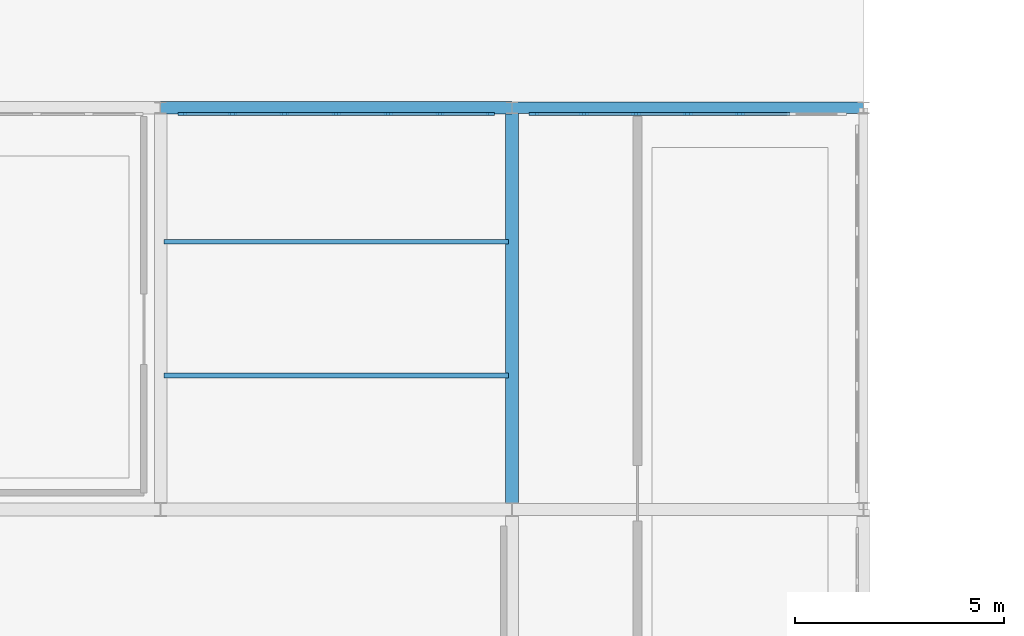
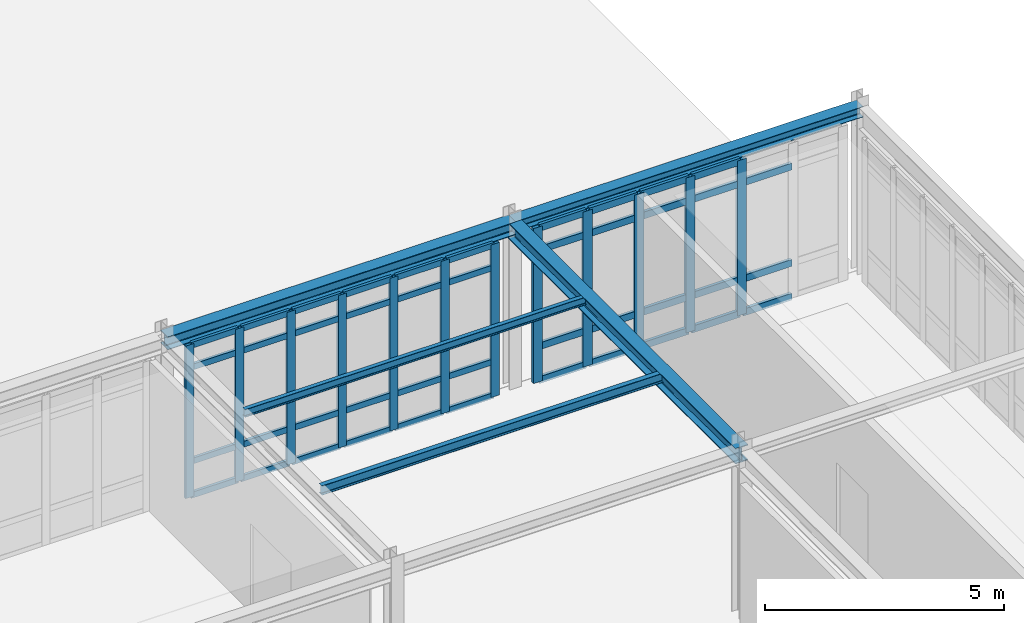
# One storey, part 56 of 101: 55 members, 5 beams, 2 elements without a shape of their own.
"""IFC4 building model written with IfcOpenShell, lengths in metres."""

from ifc_helpers import new_model, si_unit, derived_unit, direction, frame, origin, origin_2d, place, context, subcontext, project, spatial, rectangle, i_section, extrude, material, layer, layer_set, material_profile, profile_set, type_object, element, aggregate, save


model = new_model("IFC4")

# Units and contexts
model_context = context("Model", 3, precision=1e-05, world=origin(), true_north=direction((0.0, 1.0)))
body_context = subcontext(model_context, "Body", "Model", "MODEL_VIEW")
ifc_project = project(units=[si_unit("LENGTHUNIT", "METRE"), si_unit("AREAUNIT", "SQUARE_METRE"), si_unit("VOLUMEUNIT", "CUBIC_METRE"), si_unit("PLANEANGLEUNIT", "RADIAN"), si_unit("MASSUNIT", "GRAM", prefix="KILO"), derived_unit("THERMALTRANSMITTANCEUNIT", [(si_unit("POWERUNIT", "WATT"), 1), (si_unit("AREAUNIT", "SQUARE_METRE"), -1), (si_unit("THERMODYNAMICTEMPERATUREUNIT", "KELVIN"), -1)])], contexts=[model_context])

# Site, building, storey
site_placement = place(None, origin())
site = spatial("IfcSite", under=ifc_project, at=site_placement, CompositionType="ELEMENT")
building_placement = place(site_placement, origin())
building = spatial("IfcBuilding", under=site, at=building_placement, Name="Yasenodar Specialist Clinic", CompositionType="ELEMENT")
storey_placement = place(building_placement, origin())
storey = spatial("IfcBuildingStorey", under=building, at=storey_placement, Name="L00", CompositionType="ELEMENT", Elevation=0.0)

# Beams
ifc_material_1 = material(Name="Steel S355", Category="steel")
ifc_material_profile_1 = material_profile(ifc_material_1, i_section(OverallWidth=0.280029296875, OverallDepth=0.27001953125, WebThickness=0.008056640625, FlangeThickness=0.012939453125, FilletRadius=0.02392578125, at=origin_2d()), Name="HEA 280")
ifc_profile_set_1 = profile_set([ifc_material_profile_1], Name="Steel S355")
beam_type_1 = type_object("IfcBeamType", Name="BM-HEA280", PredefinedType="BEAM", material=ifc_profile_set_1)
beam_1_placement = place(storey_placement, frame((130.199951171875, 34.800048828125, 4.114990234375), z_axis=(1.0, 0.0, 0.0), x_axis=(0.0, 1.0, 0.0)))
element("IfcBeam", 1, at=beam_1_placement, inside=storey, type_object=beam_type_1, Name="L00 Primary E-W Girder", PredefinedType="BEAM", context=body_context, shape_type="SweptSolid", body=[
    extrude(i_section(OverallWidth=0.280029296875, OverallDepth=0.27001953125, WebThickness=0.008056640625, FlangeThickness=0.012939453125, FilletRadius=0.02392578125, at=origin_2d()), origin(), (0.0, 0.0, 1.0), 8.400146484375),
])
ifc_material_profile_2 = material_profile(ifc_material_1, i_section(OverallWidth=0.300048828125, OverallDepth=0.330078125, WebThickness=0.009521484375, FlangeThickness=0.0166015625, FilletRadius=0.027099609375, at=origin_2d()), Name="HEA 340")
ifc_profile_set_2 = profile_set([ifc_material_profile_2], Name="Steel S355")
beam_type_2 = type_object("IfcBeamType", Name="BM-HEA340", PredefinedType="BEAM", material=ifc_profile_set_2)
beam_2_placement = place(storey_placement, frame((121.800048828125, 34.800048828125, 4.0849609375), z_axis=(1.0, 0.0, 0.0), x_axis=(0.0, 1.0, 0.0)))
element("IfcBeam", 2, at=beam_2_placement, inside=storey, type_object=beam_type_2, Name="L00 Primary E-W Girder", PredefinedType="BEAM", context=body_context, shape_type="SweptSolid", body=[
    extrude(i_section(OverallWidth=0.300048828125, OverallDepth=0.330078125, WebThickness=0.009521484375, FlangeThickness=0.0166015625, FilletRadius=0.027099609375, at=origin_2d()), origin(), (0.0, 0.0, 1.0), 8.39990234375),
])
ifc_material_profile_3 = material_profile(ifc_material_1, i_section(OverallWidth=0.300048828125, OverallDepth=0.39990234375, WebThickness=0.013427734375, FlangeThickness=0.02392578125, FilletRadius=0.027099609375, at=origin_2d()), Name="HEB 400")
ifc_profile_set_3 = profile_set([ifc_material_profile_3], Name="Steel S355")
beam_type_3 = type_object("IfcBeamType", Name="BM-HEB400", PredefinedType="BEAM", material=ifc_profile_set_3)
beam_3_placement = place(storey_placement, frame((130.199951171875, 25.199951171875, 4.050048828125), z_axis=(0.0, 1.0, 0.0), x_axis=(-1.0, 0.0, 0.0)))
element("IfcBeam", 3, at=beam_3_placement, inside=storey, type_object=beam_type_3, Name="L00 Primary N-S Girder", PredefinedType="BEAM", context=body_context, shape_type="SweptSolid", body=[
    extrude(i_section(OverallWidth=0.300048828125, OverallDepth=0.39990234375, WebThickness=0.013427734375, FlangeThickness=0.02392578125, FilletRadius=0.027099609375, at=origin_2d()), origin(), (0.0, 0.0, 1.0), 9.60009765625),
])

# Curtain wall, members
ifc_material_2 = material(Name="Bronze Anodized Aluminium and Triple Low-E Glass", Category="aluminium")
ifc_layer = layer(ifc_material_2, 0.178955078125)
ifc_layer_set = layer_set([ifc_layer], Name="Bronze Anodized Aluminium and Triple Low-E Glass")
curtain_wall_type = type_object("IfcCurtainWallType", Name="CW-SYS-02", PredefinedType="USERDEFINED", material=ifc_layer_set)
curtain_wall_1_placement = place(storey_placement, origin())
curtain_wall_1 = element("IfcCurtainWall", 4, at=curtain_wall_1_placement, inside=storey, type_object=curtain_wall_type, Name="L00 Unitised Curtain Wall 084", ObjectType="UNITISED CURTAIN WALL", PredefinedType="USERDEFINED")
ifc_material_3 = material(Name="Bronze Anodized Aluminium", Category="aluminium")
ifc_material_profile_4 = material_profile(ifc_material_3, rectangle(XDim=0.070068359375, YDim=0.199951171875, at=origin_2d()), Name="CW-MULL 70x200")
ifc_profile_set_4 = profile_set([ifc_material_profile_4], Name="Bronze Anodized Aluminium")
member_type_1 = type_object("IfcMemberType", Name="CW-MULL-200", PredefinedType="MULLION", material=ifc_profile_set_4)
member_1_placement = place(storey_placement, frame((122.31494140625, 34.64990234375, 0.0), z_axis=(0.0, 0.0, 1.0), x_axis=(0.0, 1.0, 0.0)))
member_1 = element("IfcMember", 5, at=member_1_placement, type_object=member_type_1, Name="CW-02 mullion 1", PredefinedType="MULLION", context=body_context, shape_type="SweptSolid", body=[
    extrude(rectangle(XDim=0.070068359375, YDim=0.199951171875, at=origin_2d()), origin(), (0.0, 0.0, 1.0), 3.89794921875),
])
member_2_placement = place(storey_placement, frame((123.52001953125, 34.64990234375, 0.0), z_axis=(0.0, 0.0, 1.0), x_axis=(0.0, 1.0, 0.0)))
member_2 = element("IfcMember", 6, at=member_2_placement, type_object=member_type_1, Name="CW-02 mullion 2", PredefinedType="MULLION", context=body_context, shape_type="SweptSolid", body=[
    extrude(rectangle(XDim=0.070068359375, YDim=0.199951171875, at=origin_2d()), origin(), (0.0, 0.0, 1.0), 3.89794921875),
])
member_3_placement = place(storey_placement, frame((124.760009765625, 34.64990234375, 0.0), z_axis=(0.0, 0.0, 1.0), x_axis=(0.0, 1.0, 0.0)))
member_3 = element("IfcMember", 7, at=member_3_placement, type_object=member_type_1, Name="CW-02 mullion 3", PredefinedType="MULLION", context=body_context, shape_type="SweptSolid", body=[
    extrude(rectangle(XDim=0.070068359375, YDim=0.199951171875, at=origin_2d()), origin(), (0.0, 0.0, 1.0), 3.89794921875),
])
member_4_placement = place(storey_placement, frame((126.0, 34.64990234375, 0.0), z_axis=(0.0, 0.0, 1.0), x_axis=(0.0, 1.0, 0.0)))
member_4 = element("IfcMember", 8, at=member_4_placement, type_object=member_type_1, Name="CW-02 mullion 4", PredefinedType="MULLION", context=body_context, shape_type="SweptSolid", body=[
    extrude(rectangle(XDim=0.070068359375, YDim=0.199951171875, at=origin_2d()), origin(), (0.0, 0.0, 1.0), 3.89794921875),
])
member_5_placement = place(storey_placement, frame((127.239990234375, 34.64990234375, 0.0), z_axis=(0.0, 0.0, 1.0), x_axis=(0.0, 1.0, 0.0)))
member_5 = element("IfcMember", 9, at=member_5_placement, type_object=member_type_1, Name="CW-02 mullion 5", PredefinedType="MULLION", context=body_context, shape_type="SweptSolid", body=[
    extrude(rectangle(XDim=0.070068359375, YDim=0.199951171875, at=origin_2d()), origin(), (0.0, 0.0, 1.0), 3.89794921875),
])
member_6_placement = place(storey_placement, frame((128.47998046875, 34.64990234375, 0.0), z_axis=(0.0, 0.0, 1.0), x_axis=(0.0, 1.0, 0.0)))
member_6 = element("IfcMember", 10, at=member_6_placement, type_object=member_type_1, Name="CW-02 mullion 6", PredefinedType="MULLION", context=body_context, shape_type="SweptSolid", body=[
    extrude(rectangle(XDim=0.070068359375, YDim=0.199951171875, at=origin_2d()), origin(), (0.0, 0.0, 1.0), 3.89794921875),
])
member_7_placement = place(storey_placement, frame((129.68505859375, 34.64990234375, 0.0), z_axis=(0.0, 0.0, 1.0), x_axis=(0.0, 1.0, 0.0)))
member_7 = element("IfcMember", 11, at=member_7_placement, type_object=member_type_1, Name="CW-02 mullion 7", PredefinedType="MULLION", context=body_context, shape_type="SweptSolid", body=[
    extrude(rectangle(XDim=0.070068359375, YDim=0.199951171875, at=origin_2d()), origin(), (0.0, 0.0, 1.0), 3.89794921875),
])

curtain_wall_2_placement = place(storey_placement, origin())
curtain_wall_2 = element("IfcCurtainWall", 12, at=curtain_wall_2_placement, inside=storey, type_object=curtain_wall_type, Name="L00 Unitised Curtain Wall 085", ObjectType="UNITISED CURTAIN WALL", PredefinedType="USERDEFINED")
ifc_material_profile_5 = material_profile(ifc_material_3, rectangle(XDim=0.074951171875, YDim=0.22509765625, at=origin_2d()), Name="CW-MULL 75x225")
ifc_profile_set_5 = profile_set([ifc_material_profile_5], Name="Bronze Anodized Aluminium")
member_type_2 = type_object("IfcMemberType", Name="CW-MULL-225", PredefinedType="MULLION", material=ifc_profile_set_5)
member_8_placement = place(storey_placement, frame((130.717529296875, 34.64990234375, 0.0), z_axis=(0.0, 0.0, 1.0), x_axis=(0.0, 1.0, 0.0)))
member_8 = element("IfcMember", 13, at=member_8_placement, type_object=member_type_2, Name="CW-02 mullion 1", PredefinedType="MULLION", context=body_context, shape_type="SweptSolid", body=[
    extrude(rectangle(XDim=0.074951171875, YDim=0.22509765625, at=origin_2d()), origin(), (0.0, 0.0, 1.0), 3.9580078125),
])
member_9_placement = place(storey_placement, frame((131.919921875, 34.64990234375, 0.0), z_axis=(0.0, 0.0, 1.0), x_axis=(0.0, 1.0, 0.0)))
member_9 = element("IfcMember", 14, at=member_9_placement, type_object=member_type_2, Name="CW-02 mullion 2", PredefinedType="MULLION", context=body_context, shape_type="SweptSolid", body=[
    extrude(rectangle(XDim=0.074951171875, YDim=0.22509765625, at=origin_2d()), origin(), (0.0, 0.0, 1.0), 3.9580078125),
])
member_10_placement = place(storey_placement, frame((133.159912109375, 34.64990234375, 0.0), z_axis=(0.0, 0.0, 1.0), x_axis=(0.0, 1.0, 0.0)))
member_10 = element("IfcMember", 15, at=member_10_placement, type_object=member_type_2, Name="CW-02 mullion 3", PredefinedType="MULLION", context=body_context, shape_type="SweptSolid", body=[
    extrude(rectangle(XDim=0.074951171875, YDim=0.22509765625, at=origin_2d()), origin(), (0.0, 0.0, 1.0), 3.9580078125),
])
member_11_placement = place(storey_placement, frame((134.39990234375, 34.64990234375, 0.0), z_axis=(0.0, 0.0, 1.0), x_axis=(0.0, 1.0, 0.0)))
member_11 = element("IfcMember", 16, at=member_11_placement, type_object=member_type_2, Name="CW-02 mullion 4", PredefinedType="MULLION", context=body_context, shape_type="SweptSolid", body=[
    extrude(rectangle(XDim=0.074951171875, YDim=0.22509765625, at=origin_2d()), origin(), (0.0, 0.0, 1.0), 3.9580078125),
])
member_12_placement = place(storey_placement, frame((135.639892578125, 34.64990234375, 0.0), z_axis=(0.0, 0.0, 1.0), x_axis=(0.0, 1.0, 0.0)))
member_12 = element("IfcMember", 17, at=member_12_placement, type_object=member_type_2, Name="CW-02 mullion 5", PredefinedType="MULLION", context=body_context, shape_type="SweptSolid", body=[
    extrude(rectangle(XDim=0.074951171875, YDim=0.22509765625, at=origin_2d()), origin(), (0.0, 0.0, 1.0), 3.9580078125),
])

# Member
ifc_material_profile_6 = material_profile(ifc_material_3, rectangle(XDim=0.070068359375, YDim=0.14990234375, at=origin_2d()), Name="CW-TRAN 70x150")
ifc_profile_set_6 = profile_set([ifc_material_profile_6], Name="Bronze Anodized Aluminium")
member_type_3 = type_object("IfcMemberType", Name="CW-TRAN-150", PredefinedType="USERDEFINED", material=ifc_profile_set_6)
member_13_placement = place(storey_placement, frame((122.35009765625, 34.64990234375, 0.034912109375), z_axis=(1.0, 0.0, 0.0), x_axis=(0.0, 1.0, 0.0)))
member_13 = element("IfcMember", 18, at=member_13_placement, type_object=member_type_3, Name="CW-02 transom 1.1", ObjectType="TRANSOM", PredefinedType="USERDEFINED", context=body_context, shape_type="SweptSolid", body=[
    extrude(rectangle(XDim=0.070068359375, YDim=0.14990234375, at=origin_2d()), origin(), (0.0, 0.0, 1.0), 1.135009765625),
])

member_14_placement = place(storey_placement, frame((122.35009765625, 34.64990234375, 0.89990234375), z_axis=(1.0, 0.0, 0.0), x_axis=(0.0, 1.0, 0.0)))
member_14 = element("IfcMember", 19, at=member_14_placement, type_object=member_type_3, Name="CW-02 transom 1.2", ObjectType="TRANSOM", PredefinedType="USERDEFINED", context=body_context, shape_type="SweptSolid", body=[
    extrude(rectangle(XDim=0.070068359375, YDim=0.14990234375, at=origin_2d()), origin(), (0.0, 0.0, 1.0), 1.135009765625),
])

member_15_placement = place(storey_placement, frame((122.35009765625, 34.64990234375, 3.298095703125), z_axis=(1.0, 0.0, 0.0), x_axis=(0.0, 1.0, 0.0)))
member_15 = element("IfcMember", 20, at=member_15_placement, type_object=member_type_3, Name="CW-02 transom 1.3", ObjectType="TRANSOM", PredefinedType="USERDEFINED", context=body_context, shape_type="SweptSolid", body=[
    extrude(rectangle(XDim=0.070068359375, YDim=0.14990234375, at=origin_2d()), origin(), (0.0, 0.0, 1.0), 1.135009765625),
])

member_16_placement = place(storey_placement, frame((122.35009765625, 34.64990234375, 3.863037109375), z_axis=(1.0, 0.0, 0.0), x_axis=(0.0, 1.0, 0.0)))
member_16 = element("IfcMember", 21, at=member_16_placement, type_object=member_type_3, Name="CW-02 transom 1.4", ObjectType="TRANSOM", PredefinedType="USERDEFINED", context=body_context, shape_type="SweptSolid", body=[
    extrude(rectangle(XDim=0.070068359375, YDim=0.14990234375, at=origin_2d()), origin(), (0.0, 0.0, 1.0), 1.135009765625),
])

member_17_placement = place(storey_placement, frame((123.554931640625, 34.64990234375, 0.034912109375), z_axis=(1.0, 0.0, 0.0), x_axis=(0.0, 1.0, 0.0)))
member_17 = element("IfcMember", 22, at=member_17_placement, type_object=member_type_3, Name="CW-02 transom 2.1", ObjectType="TRANSOM", PredefinedType="USERDEFINED", context=body_context, shape_type="SweptSolid", body=[
    extrude(rectangle(XDim=0.070068359375, YDim=0.14990234375, at=origin_2d()), origin(), (0.0, 0.0, 1.0), 1.170166015625),
])

member_18_placement = place(storey_placement, frame((123.554931640625, 34.64990234375, 0.89990234375), z_axis=(1.0, 0.0, 0.0), x_axis=(0.0, 1.0, 0.0)))
member_18 = element("IfcMember", 23, at=member_18_placement, type_object=member_type_3, Name="CW-02 transom 2.2", ObjectType="TRANSOM", PredefinedType="USERDEFINED", context=body_context, shape_type="SweptSolid", body=[
    extrude(rectangle(XDim=0.070068359375, YDim=0.14990234375, at=origin_2d()), origin(), (0.0, 0.0, 1.0), 1.170166015625),
])

member_19_placement = place(storey_placement, frame((123.554931640625, 34.64990234375, 3.298095703125), z_axis=(1.0, 0.0, 0.0), x_axis=(0.0, 1.0, 0.0)))
member_19 = element("IfcMember", 24, at=member_19_placement, type_object=member_type_3, Name="CW-02 transom 2.3", ObjectType="TRANSOM", PredefinedType="USERDEFINED", context=body_context, shape_type="SweptSolid", body=[
    extrude(rectangle(XDim=0.070068359375, YDim=0.14990234375, at=origin_2d()), origin(), (0.0, 0.0, 1.0), 1.170166015625),
])

member_20_placement = place(storey_placement, frame((123.554931640625, 34.64990234375, 3.863037109375), z_axis=(1.0, 0.0, 0.0), x_axis=(0.0, 1.0, 0.0)))
member_20 = element("IfcMember", 25, at=member_20_placement, type_object=member_type_3, Name="CW-02 transom 2.4", ObjectType="TRANSOM", PredefinedType="USERDEFINED", context=body_context, shape_type="SweptSolid", body=[
    extrude(rectangle(XDim=0.070068359375, YDim=0.14990234375, at=origin_2d()), origin(), (0.0, 0.0, 1.0), 1.170166015625),
])

member_21_placement = place(storey_placement, frame((124.794921875, 34.64990234375, 0.034912109375), z_axis=(1.0, 0.0, 0.0), x_axis=(0.0, 1.0, 0.0)))
member_21 = element("IfcMember", 26, at=member_21_placement, type_object=member_type_3, Name="CW-02 transom 3.1", ObjectType="TRANSOM", PredefinedType="USERDEFINED", context=body_context, shape_type="SweptSolid", body=[
    extrude(rectangle(XDim=0.070068359375, YDim=0.14990234375, at=origin_2d()), origin(), (0.0, 0.0, 1.0), 1.170166015625),
])

member_22_placement = place(storey_placement, frame((124.794921875, 34.64990234375, 0.89990234375), z_axis=(1.0, 0.0, 0.0), x_axis=(0.0, 1.0, 0.0)))
member_22 = element("IfcMember", 27, at=member_22_placement, type_object=member_type_3, Name="CW-02 transom 3.2", ObjectType="TRANSOM", PredefinedType="USERDEFINED", context=body_context, shape_type="SweptSolid", body=[
    extrude(rectangle(XDim=0.070068359375, YDim=0.14990234375, at=origin_2d()), origin(), (0.0, 0.0, 1.0), 1.170166015625),
])

member_23_placement = place(storey_placement, frame((124.794921875, 34.64990234375, 3.298095703125), z_axis=(1.0, 0.0, 0.0), x_axis=(0.0, 1.0, 0.0)))
member_23 = element("IfcMember", 28, at=member_23_placement, type_object=member_type_3, Name="CW-02 transom 3.3", ObjectType="TRANSOM", PredefinedType="USERDEFINED", context=body_context, shape_type="SweptSolid", body=[
    extrude(rectangle(XDim=0.070068359375, YDim=0.14990234375, at=origin_2d()), origin(), (0.0, 0.0, 1.0), 1.170166015625),
])

member_24_placement = place(storey_placement, frame((124.794921875, 34.64990234375, 3.863037109375), z_axis=(1.0, 0.0, 0.0), x_axis=(0.0, 1.0, 0.0)))
member_24 = element("IfcMember", 29, at=member_24_placement, type_object=member_type_3, Name="CW-02 transom 3.4", ObjectType="TRANSOM", PredefinedType="USERDEFINED", context=body_context, shape_type="SweptSolid", body=[
    extrude(rectangle(XDim=0.070068359375, YDim=0.14990234375, at=origin_2d()), origin(), (0.0, 0.0, 1.0), 1.170166015625),
])

member_25_placement = place(storey_placement, frame((126.034912109375, 34.64990234375, 0.034912109375), z_axis=(1.0, 0.0, 0.0), x_axis=(0.0, 1.0, 0.0)))
member_25 = element("IfcMember", 30, at=member_25_placement, type_object=member_type_3, Name="CW-02 transom 4.1", ObjectType="TRANSOM", PredefinedType="USERDEFINED", context=body_context, shape_type="SweptSolid", body=[
    extrude(rectangle(XDim=0.070068359375, YDim=0.14990234375, at=origin_2d()), origin(), (0.0, 0.0, 1.0), 1.170166015625),
])

member_26_placement = place(storey_placement, frame((126.034912109375, 34.64990234375, 0.89990234375), z_axis=(1.0, 0.0, 0.0), x_axis=(0.0, 1.0, 0.0)))
member_26 = element("IfcMember", 31, at=member_26_placement, type_object=member_type_3, Name="CW-02 transom 4.2", ObjectType="TRANSOM", PredefinedType="USERDEFINED", context=body_context, shape_type="SweptSolid", body=[
    extrude(rectangle(XDim=0.070068359375, YDim=0.14990234375, at=origin_2d()), origin(), (0.0, 0.0, 1.0), 1.170166015625),
])

member_27_placement = place(storey_placement, frame((126.034912109375, 34.64990234375, 3.298095703125), z_axis=(1.0, 0.0, 0.0), x_axis=(0.0, 1.0, 0.0)))
member_27 = element("IfcMember", 32, at=member_27_placement, type_object=member_type_3, Name="CW-02 transom 4.3", ObjectType="TRANSOM", PredefinedType="USERDEFINED", context=body_context, shape_type="SweptSolid", body=[
    extrude(rectangle(XDim=0.070068359375, YDim=0.14990234375, at=origin_2d()), origin(), (0.0, 0.0, 1.0), 1.170166015625),
])

member_28_placement = place(storey_placement, frame((126.034912109375, 34.64990234375, 3.863037109375), z_axis=(1.0, 0.0, 0.0), x_axis=(0.0, 1.0, 0.0)))
member_28 = element("IfcMember", 33, at=member_28_placement, type_object=member_type_3, Name="CW-02 transom 4.4", ObjectType="TRANSOM", PredefinedType="USERDEFINED", context=body_context, shape_type="SweptSolid", body=[
    extrude(rectangle(XDim=0.070068359375, YDim=0.14990234375, at=origin_2d()), origin(), (0.0, 0.0, 1.0), 1.170166015625),
])

member_29_placement = place(storey_placement, frame((127.27490234375, 34.64990234375, 0.034912109375), z_axis=(1.0, 0.0, 0.0), x_axis=(0.0, 1.0, 0.0)))
member_29 = element("IfcMember", 34, at=member_29_placement, type_object=member_type_3, Name="CW-02 transom 5.1", ObjectType="TRANSOM", PredefinedType="USERDEFINED", context=body_context, shape_type="SweptSolid", body=[
    extrude(rectangle(XDim=0.070068359375, YDim=0.14990234375, at=origin_2d()), origin(), (0.0, 0.0, 1.0), 1.170166015625),
])

member_30_placement = place(storey_placement, frame((127.27490234375, 34.64990234375, 0.89990234375), z_axis=(1.0, 0.0, 0.0), x_axis=(0.0, 1.0, 0.0)))
member_30 = element("IfcMember", 35, at=member_30_placement, type_object=member_type_3, Name="CW-02 transom 5.2", ObjectType="TRANSOM", PredefinedType="USERDEFINED", context=body_context, shape_type="SweptSolid", body=[
    extrude(rectangle(XDim=0.070068359375, YDim=0.14990234375, at=origin_2d()), origin(), (0.0, 0.0, 1.0), 1.170166015625),
])

member_31_placement = place(storey_placement, frame((127.27490234375, 34.64990234375, 3.298095703125), z_axis=(1.0, 0.0, 0.0), x_axis=(0.0, 1.0, 0.0)))
member_31 = element("IfcMember", 36, at=member_31_placement, type_object=member_type_3, Name="CW-02 transom 5.3", ObjectType="TRANSOM", PredefinedType="USERDEFINED", context=body_context, shape_type="SweptSolid", body=[
    extrude(rectangle(XDim=0.070068359375, YDim=0.14990234375, at=origin_2d()), origin(), (0.0, 0.0, 1.0), 1.170166015625),
])

member_32_placement = place(storey_placement, frame((127.27490234375, 34.64990234375, 3.863037109375), z_axis=(1.0, 0.0, 0.0), x_axis=(0.0, 1.0, 0.0)))
member_32 = element("IfcMember", 37, at=member_32_placement, type_object=member_type_3, Name="CW-02 transom 5.4", ObjectType="TRANSOM", PredefinedType="USERDEFINED", context=body_context, shape_type="SweptSolid", body=[
    extrude(rectangle(XDim=0.070068359375, YDim=0.14990234375, at=origin_2d()), origin(), (0.0, 0.0, 1.0), 1.170166015625),
])

member_33_placement = place(storey_placement, frame((128.514892578125, 34.64990234375, 0.034912109375), z_axis=(1.0, 0.0, 0.0), x_axis=(0.0, 1.0, 0.0)))
member_33 = element("IfcMember", 38, at=member_33_placement, type_object=member_type_3, Name="CW-02 transom 6.1", ObjectType="TRANSOM", PredefinedType="USERDEFINED", context=body_context, shape_type="SweptSolid", body=[
    extrude(rectangle(XDim=0.070068359375, YDim=0.14990234375, at=origin_2d()), origin(), (0.0, 0.0, 1.0), 1.135009765625),
])

member_34_placement = place(storey_placement, frame((128.514892578125, 34.64990234375, 0.89990234375), z_axis=(1.0, 0.0, 0.0), x_axis=(0.0, 1.0, 0.0)))
member_34 = element("IfcMember", 39, at=member_34_placement, type_object=member_type_3, Name="CW-02 transom 6.2", ObjectType="TRANSOM", PredefinedType="USERDEFINED", context=body_context, shape_type="SweptSolid", body=[
    extrude(rectangle(XDim=0.070068359375, YDim=0.14990234375, at=origin_2d()), origin(), (0.0, 0.0, 1.0), 1.135009765625),
])

member_35_placement = place(storey_placement, frame((128.514892578125, 34.64990234375, 3.298095703125), z_axis=(1.0, 0.0, 0.0), x_axis=(0.0, 1.0, 0.0)))
member_35 = element("IfcMember", 40, at=member_35_placement, type_object=member_type_3, Name="CW-02 transom 6.3", ObjectType="TRANSOM", PredefinedType="USERDEFINED", context=body_context, shape_type="SweptSolid", body=[
    extrude(rectangle(XDim=0.070068359375, YDim=0.14990234375, at=origin_2d()), origin(), (0.0, 0.0, 1.0), 1.135009765625),
])

member_36_placement = place(storey_placement, frame((128.514892578125, 34.64990234375, 3.863037109375), z_axis=(1.0, 0.0, 0.0), x_axis=(0.0, 1.0, 0.0)))
member_36 = element("IfcMember", 41, at=member_36_placement, type_object=member_type_3, Name="CW-02 transom 6.4", ObjectType="TRANSOM", PredefinedType="USERDEFINED", context=body_context, shape_type="SweptSolid", body=[
    extrude(rectangle(XDim=0.070068359375, YDim=0.14990234375, at=origin_2d()), origin(), (0.0, 0.0, 1.0), 1.135009765625),
])

aggregate(curtain_wall_1, [member_1, member_2, member_3, member_4, member_5, member_6, member_7, member_13, member_14, member_15, member_16, member_17, member_18, member_19, member_20, member_21, member_22, member_23, member_24, member_25, member_26, member_27, member_28, member_29, member_30, member_31, member_32, member_33, member_34, member_35, member_36])

ifc_material_profile_7 = material_profile(ifc_material_3, rectangle(XDim=0.074951171875, YDim=0.175048828125, at=origin_2d()), Name="CW-TRAN 75x175")
ifc_profile_set_7 = profile_set([ifc_material_profile_7], Name="Bronze Anodized Aluminium")
member_type_4 = type_object("IfcMemberType", Name="CW-TRAN-175", PredefinedType="USERDEFINED", material=ifc_profile_set_7)
member_37_placement = place(storey_placement, frame((130.7548828125, 34.64990234375, 0.03759765625), z_axis=(1.0, 0.0, 0.0), x_axis=(0.0, 1.0, 0.0)))
member_37 = element("IfcMember", 42, at=member_37_placement, type_object=member_type_4, Name="CW-02 transom 1.1", ObjectType="TRANSOM", PredefinedType="USERDEFINED", context=body_context, shape_type="SweptSolid", body=[
    extrude(rectangle(XDim=0.074951171875, YDim=0.175048828125, at=origin_2d()), origin(), (0.0, 0.0, 1.0), 1.127685546875),
])

member_38_placement = place(storey_placement, frame((130.7548828125, 34.64990234375, 0.89990234375), z_axis=(1.0, 0.0, 0.0), x_axis=(0.0, 1.0, 0.0)))
member_38 = element("IfcMember", 43, at=member_38_placement, type_object=member_type_4, Name="CW-02 transom 1.2", ObjectType="TRANSOM", PredefinedType="USERDEFINED", context=body_context, shape_type="SweptSolid", body=[
    extrude(rectangle(XDim=0.074951171875, YDim=0.175048828125, at=origin_2d()), origin(), (0.0, 0.0, 1.0), 1.127685546875),
])

member_39_placement = place(storey_placement, frame((130.7548828125, 34.64990234375, 3.35791015625), z_axis=(1.0, 0.0, 0.0), x_axis=(0.0, 1.0, 0.0)))
member_39 = element("IfcMember", 44, at=member_39_placement, type_object=member_type_4, Name="CW-02 transom 1.3", ObjectType="TRANSOM", PredefinedType="USERDEFINED", context=body_context, shape_type="SweptSolid", body=[
    extrude(rectangle(XDim=0.074951171875, YDim=0.175048828125, at=origin_2d()), origin(), (0.0, 0.0, 1.0), 1.127685546875),
])

member_40_placement = place(storey_placement, frame((130.7548828125, 34.64990234375, 3.92041015625), z_axis=(1.0, 0.0, 0.0), x_axis=(0.0, 1.0, 0.0)))
member_40 = element("IfcMember", 45, at=member_40_placement, type_object=member_type_4, Name="CW-02 transom 1.4", ObjectType="TRANSOM", PredefinedType="USERDEFINED", context=body_context, shape_type="SweptSolid", body=[
    extrude(rectangle(XDim=0.074951171875, YDim=0.175048828125, at=origin_2d()), origin(), (0.0, 0.0, 1.0), 1.127685546875),
])

member_41_placement = place(storey_placement, frame((131.95751953125, 34.64990234375, 0.03759765625), z_axis=(1.0, 0.0, 0.0), x_axis=(0.0, 1.0, 0.0)))
member_41 = element("IfcMember", 46, at=member_41_placement, type_object=member_type_4, Name="CW-02 transom 2.1", ObjectType="TRANSOM", PredefinedType="USERDEFINED", context=body_context, shape_type="SweptSolid", body=[
    extrude(rectangle(XDim=0.074951171875, YDim=0.175048828125, at=origin_2d()), origin(), (0.0, 0.0, 1.0), 1.1650390625),
])

member_42_placement = place(storey_placement, frame((131.95751953125, 34.64990234375, 0.89990234375), z_axis=(1.0, 0.0, 0.0), x_axis=(0.0, 1.0, 0.0)))
member_42 = element("IfcMember", 47, at=member_42_placement, type_object=member_type_4, Name="CW-02 transom 2.2", ObjectType="TRANSOM", PredefinedType="USERDEFINED", context=body_context, shape_type="SweptSolid", body=[
    extrude(rectangle(XDim=0.074951171875, YDim=0.175048828125, at=origin_2d()), origin(), (0.0, 0.0, 1.0), 1.1650390625),
])

member_43_placement = place(storey_placement, frame((131.95751953125, 34.64990234375, 3.35791015625), z_axis=(1.0, 0.0, 0.0), x_axis=(0.0, 1.0, 0.0)))
member_43 = element("IfcMember", 48, at=member_43_placement, type_object=member_type_4, Name="CW-02 transom 2.3", ObjectType="TRANSOM", PredefinedType="USERDEFINED", context=body_context, shape_type="SweptSolid", body=[
    extrude(rectangle(XDim=0.074951171875, YDim=0.175048828125, at=origin_2d()), origin(), (0.0, 0.0, 1.0), 1.1650390625),
])

member_44_placement = place(storey_placement, frame((131.95751953125, 34.64990234375, 3.92041015625), z_axis=(1.0, 0.0, 0.0), x_axis=(0.0, 1.0, 0.0)))
member_44 = element("IfcMember", 49, at=member_44_placement, type_object=member_type_4, Name="CW-02 transom 2.4", ObjectType="TRANSOM", PredefinedType="USERDEFINED", context=body_context, shape_type="SweptSolid", body=[
    extrude(rectangle(XDim=0.074951171875, YDim=0.175048828125, at=origin_2d()), origin(), (0.0, 0.0, 1.0), 1.1650390625),
])

member_45_placement = place(storey_placement, frame((133.197509765625, 34.64990234375, 0.03759765625), z_axis=(1.0, 0.0, 0.0), x_axis=(0.0, 1.0, 0.0)))
member_45 = element("IfcMember", 50, at=member_45_placement, type_object=member_type_4, Name="CW-02 transom 3.1", ObjectType="TRANSOM", PredefinedType="USERDEFINED", context=body_context, shape_type="SweptSolid", body=[
    extrude(rectangle(XDim=0.074951171875, YDim=0.175048828125, at=origin_2d()), origin(), (0.0, 0.0, 1.0), 1.1650390625),
])

member_46_placement = place(storey_placement, frame((133.197509765625, 34.64990234375, 0.89990234375), z_axis=(1.0, 0.0, 0.0), x_axis=(0.0, 1.0, 0.0)))
member_46 = element("IfcMember", 51, at=member_46_placement, type_object=member_type_4, Name="CW-02 transom 3.2", ObjectType="TRANSOM", PredefinedType="USERDEFINED", context=body_context, shape_type="SweptSolid", body=[
    extrude(rectangle(XDim=0.074951171875, YDim=0.175048828125, at=origin_2d()), origin(), (0.0, 0.0, 1.0), 1.1650390625),
])

member_47_placement = place(storey_placement, frame((133.197509765625, 34.64990234375, 3.35791015625), z_axis=(1.0, 0.0, 0.0), x_axis=(0.0, 1.0, 0.0)))
member_47 = element("IfcMember", 52, at=member_47_placement, type_object=member_type_4, Name="CW-02 transom 3.3", ObjectType="TRANSOM", PredefinedType="USERDEFINED", context=body_context, shape_type="SweptSolid", body=[
    extrude(rectangle(XDim=0.074951171875, YDim=0.175048828125, at=origin_2d()), origin(), (0.0, 0.0, 1.0), 1.1650390625),
])

member_48_placement = place(storey_placement, frame((133.197509765625, 34.64990234375, 3.92041015625), z_axis=(1.0, 0.0, 0.0), x_axis=(0.0, 1.0, 0.0)))
member_48 = element("IfcMember", 53, at=member_48_placement, type_object=member_type_4, Name="CW-02 transom 3.4", ObjectType="TRANSOM", PredefinedType="USERDEFINED", context=body_context, shape_type="SweptSolid", body=[
    extrude(rectangle(XDim=0.074951171875, YDim=0.175048828125, at=origin_2d()), origin(), (0.0, 0.0, 1.0), 1.1650390625),
])

member_49_placement = place(storey_placement, frame((134.4375, 34.64990234375, 0.03759765625), z_axis=(1.0, 0.0, 0.0), x_axis=(0.0, 1.0, 0.0)))
member_49 = element("IfcMember", 54, at=member_49_placement, type_object=member_type_4, Name="CW-02 transom 4.1", ObjectType="TRANSOM", PredefinedType="USERDEFINED", context=body_context, shape_type="SweptSolid", body=[
    extrude(rectangle(XDim=0.074951171875, YDim=0.175048828125, at=origin_2d()), origin(), (0.0, 0.0, 1.0), 1.1650390625),
])

member_50_placement = place(storey_placement, frame((134.4375, 34.64990234375, 0.89990234375), z_axis=(1.0, 0.0, 0.0), x_axis=(0.0, 1.0, 0.0)))
member_50 = element("IfcMember", 55, at=member_50_placement, type_object=member_type_4, Name="CW-02 transom 4.2", ObjectType="TRANSOM", PredefinedType="USERDEFINED", context=body_context, shape_type="SweptSolid", body=[
    extrude(rectangle(XDim=0.074951171875, YDim=0.175048828125, at=origin_2d()), origin(), (0.0, 0.0, 1.0), 1.1650390625),
])

member_51_placement = place(storey_placement, frame((134.4375, 34.64990234375, 3.35791015625), z_axis=(1.0, 0.0, 0.0), x_axis=(0.0, 1.0, 0.0)))
member_51 = element("IfcMember", 56, at=member_51_placement, type_object=member_type_4, Name="CW-02 transom 4.3", ObjectType="TRANSOM", PredefinedType="USERDEFINED", context=body_context, shape_type="SweptSolid", body=[
    extrude(rectangle(XDim=0.074951171875, YDim=0.175048828125, at=origin_2d()), origin(), (0.0, 0.0, 1.0), 1.1650390625),
])

member_52_placement = place(storey_placement, frame((134.4375, 34.64990234375, 3.92041015625), z_axis=(1.0, 0.0, 0.0), x_axis=(0.0, 1.0, 0.0)))
member_52 = element("IfcMember", 57, at=member_52_placement, type_object=member_type_4, Name="CW-02 transom 4.4", ObjectType="TRANSOM", PredefinedType="USERDEFINED", context=body_context, shape_type="SweptSolid", body=[
    extrude(rectangle(XDim=0.074951171875, YDim=0.175048828125, at=origin_2d()), origin(), (0.0, 0.0, 1.0), 1.1650390625),
])

member_53_placement = place(storey_placement, frame((135.677490234375, 34.64990234375, 0.03759765625), z_axis=(1.0, 0.0, 0.0), x_axis=(0.0, 1.0, 0.0)))
member_53 = element("IfcMember", 58, at=member_53_placement, type_object=member_type_4, Name="CW-02 transom 5.1", ObjectType="TRANSOM", PredefinedType="USERDEFINED", context=body_context, shape_type="SweptSolid", body=[
    extrude(rectangle(XDim=0.074951171875, YDim=0.175048828125, at=origin_2d()), origin(), (0.0, 0.0, 1.0), 1.1650390625),
])

member_54_placement = place(storey_placement, frame((135.677490234375, 34.64990234375, 0.89990234375), z_axis=(1.0, 0.0, 0.0), x_axis=(0.0, 1.0, 0.0)))
member_54 = element("IfcMember", 59, at=member_54_placement, type_object=member_type_4, Name="CW-02 transom 5.2", ObjectType="TRANSOM", PredefinedType="USERDEFINED", context=body_context, shape_type="SweptSolid", body=[
    extrude(rectangle(XDim=0.074951171875, YDim=0.175048828125, at=origin_2d()), origin(), (0.0, 0.0, 1.0), 1.1650390625),
])

member_55_placement = place(storey_placement, frame((135.677490234375, 34.64990234375, 3.35791015625), z_axis=(1.0, 0.0, 0.0), x_axis=(0.0, 1.0, 0.0)))
member_55 = element("IfcMember", 60, at=member_55_placement, type_object=member_type_4, Name="CW-02 transom 5.3", ObjectType="TRANSOM", PredefinedType="USERDEFINED", context=body_context, shape_type="SweptSolid", body=[
    extrude(rectangle(XDim=0.074951171875, YDim=0.175048828125, at=origin_2d()), origin(), (0.0, 0.0, 1.0), 1.1650390625),
])

aggregate(curtain_wall_2, [member_8, member_9, member_10, member_11, member_12, member_37, member_38, member_39, member_40, member_41, member_42, member_43, member_44, member_45, member_46, member_47, member_48, member_49, member_50, member_51, member_52, member_53, member_54, member_55])

# Beams
ifc_material_profile_8 = material_profile(ifc_material_1, i_section(OverallWidth=0.10009765625, OverallDepth=0.199951171875, WebThickness=0.005615234375, FlangeThickness=0.008544921875, FilletRadius=0.011962890625, at=origin_2d()), Name="IPE 200")
ifc_profile_set_8 = profile_set([ifc_material_profile_8], Name="Steel S355")
beam_type_4 = type_object("IfcBeamType", Name="JS-IPE200", PredefinedType="JOIST", material=ifc_profile_set_8)
beam_4_placement = place(storey_placement, frame((121.8798828125, 31.60009765625, 4.14990234375), z_axis=(1.0, 0.0, 0.0), x_axis=(0.0, 1.0, 0.0)))
element("IfcBeam", 61, at=beam_4_placement, inside=storey, type_object=beam_type_4, Name="L00 Composite Floor Joist", PredefinedType="JOIST", context=body_context, shape_type="SweptSolid", body=[
    extrude(i_section(OverallWidth=0.10009765625, OverallDepth=0.199951171875, WebThickness=0.005615234375, FlangeThickness=0.008544921875, FilletRadius=0.011962890625, at=origin_2d()), origin(), (0.0, 0.0, 1.0), 8.240234375),
])
ifc_material_profile_9 = material_profile(ifc_material_1, i_section(OverallWidth=0.1201171875, OverallDepth=0.239990234375, WebThickness=0.006103515625, FlangeThickness=0.009765625, FilletRadius=0.014892578125, at=origin_2d()), Name="IPE 240")
ifc_profile_set_9 = profile_set([ifc_material_profile_9], Name="Steel S355")
beam_type_5 = type_object("IfcBeamType", Name="JS-IPE240", PredefinedType="JOIST", material=ifc_profile_set_9)
beam_5_placement = place(storey_placement, frame((121.8798828125, 28.39990234375, 4.1298828125), z_axis=(1.0, 0.0, 0.0), x_axis=(0.0, 1.0, 0.0)))
element("IfcBeam", 62, at=beam_5_placement, inside=storey, type_object=beam_type_5, Name="L00 Composite Floor Joist", PredefinedType="JOIST", context=body_context, shape_type="SweptSolid", body=[
    extrude(i_section(OverallWidth=0.1201171875, OverallDepth=0.239990234375, WebThickness=0.006103515625, FlangeThickness=0.009765625, FilletRadius=0.014892578125, at=origin_2d()), origin(), (0.0, 0.0, 1.0), 8.240234375),
])

save(model, "model.ifc")
